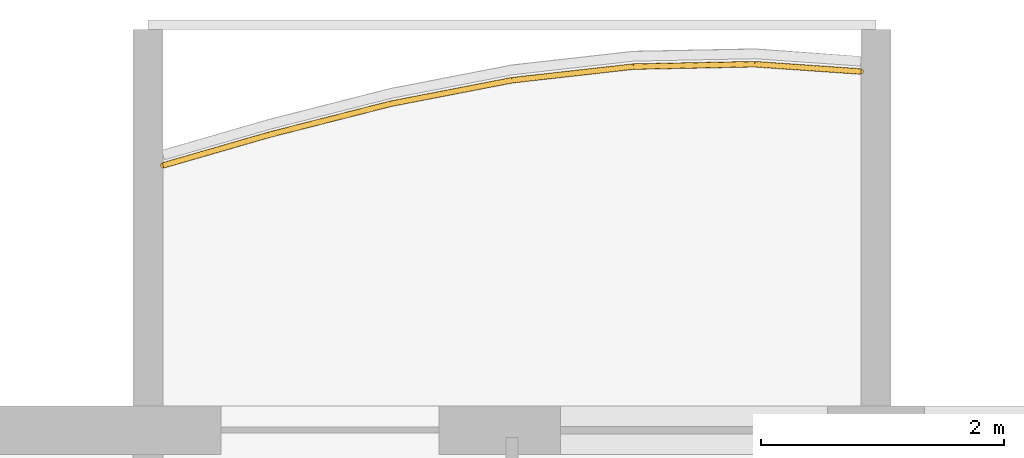
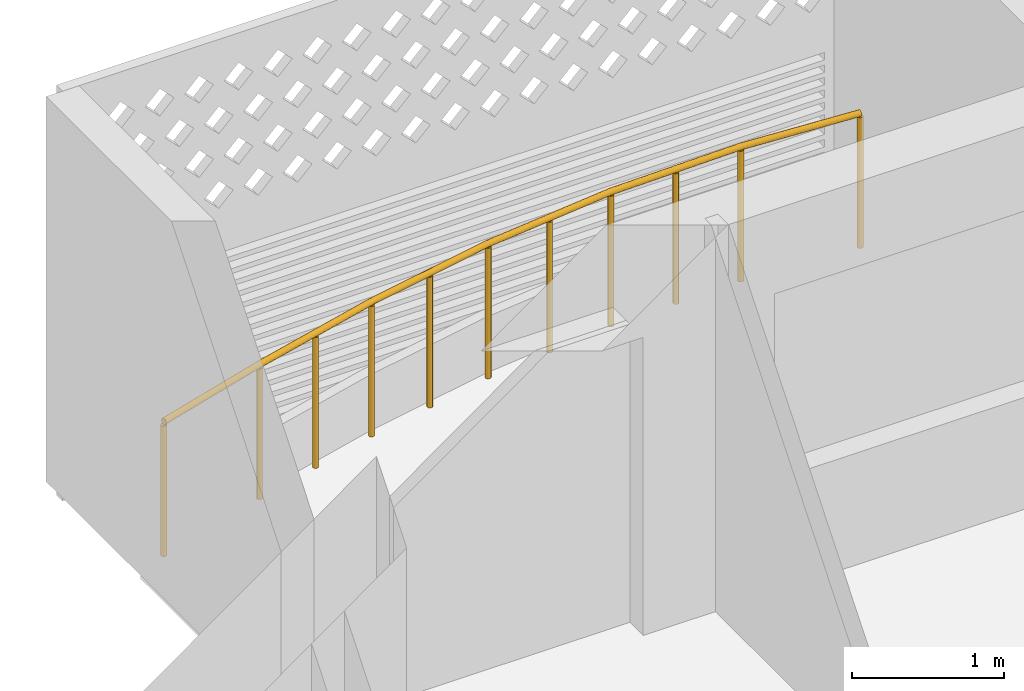
# One storey, part 16 of 29: 1 railing.
"""IFC4 building model written with IfcOpenShell, lengths in metres."""

import ifcopenshell
import ifcopenshell.guid

model = None  # the IFC model being written
_history = None  # IfcOwnerHistory: only IFC2X3 demands one
_inside = {}  # id of a spatial element -> (the spatial element, [elements in it])
_under = {}  # id of a project, library or spatial element -> (it, [spatial elements below it])
_declared = {}  # id of a project -> (the project, [libraries it declares])
_typed = {}  # id of a type object -> (the type object, [elements of that type])
_made_of = {}  # id of a material, layer set ... -> (it, [elements and type objects made of it])


def new_model(schema):
    """Start an empty IFC model of exactly this schema.

    Asked for "IFC4X3", IfcOpenShell would pick the latest addendum, in which some entities
    have other attributes; the version numbers below select the first issue.
    IFC2X3 requires an IfcOwnerHistory on every rooted entity: one is made here for all.
    """
    global model, _history
    if schema == "IFC4X3":
        model = ifcopenshell.file(schema_version=(4, 3, 0, 0))
    else:
        model = ifcopenshell.file(schema=schema)
    _inside.clear()
    _under.clear()
    _declared.clear()
    _typed.clear()
    _made_of.clear()
    _history = None
    if model.schema == "IFC2X3":
        org = make("IfcOrganization", Name="unknown")
        user = make(
            "IfcPersonAndOrganization",
            ThePerson=make("IfcPerson", FamilyName="unknown"),
            TheOrganization=org,
        )
        app = make(
            "IfcApplication",
            ApplicationDeveloper=org,
            Version="unknown",
            ApplicationFullName="unknown",
            ApplicationIdentifier="unknown",
        )
        _history = make(
            "IfcOwnerHistory",
            OwningUser=user,
            OwningApplication=app,
            ChangeAction="ADDED",
            CreationDate=0,
        )
    return model


def make(cls, **values):
    """One entity of the class cls with the attributes given. An attribute that is None is left unset."""
    return model.create_entity(
        cls, **{name: value for name, value in values.items() if value is not None}
    )


def rooted(cls, **values):
    """An entity with a GlobalId (a new one), such as an element, a storey or a relation."""
    return make(cls, GlobalId=ifcopenshell.guid.new(), OwnerHistory=_history, **values)


def si_unit(unit_type, name, prefix=None):
    """IfcSIUnit, for example si_unit("LENGTHUNIT", "METRE", prefix="MILLI")."""
    return make("IfcSIUnit", UnitType=unit_type, Prefix=prefix, Name=name)


def assignment(units):
    """IfcUnitAssignment: the units of a project."""
    return None if units is None else make("IfcUnitAssignment", Units=units)


def point(xyz):
    """IfcCartesianPoint."""
    return None if xyz is None else make("IfcCartesianPoint", Coordinates=xyz)


def direction(xyz):
    """IfcDirection."""
    return None if xyz is None else make("IfcDirection", DirectionRatios=xyz)


def frame(location, z_axis=None, x_axis=None):
    """IfcAxis2Placement3D, a coordinate frame: its origin and axes. An axis left out is left unset."""
    return make(
        "IfcAxis2Placement3D",
        Location=point(location),
        Axis=direction(z_axis),
        RefDirection=direction(x_axis),
    )


def frame_2d(location, x_axis=None):
    """IfcAxis2Placement2D, a coordinate frame in the plane: its origin and x axis."""
    return make(
        "IfcAxis2Placement2D", Location=point(location), RefDirection=direction(x_axis)
    )


def origin():
    """The frame at (0, 0, 0) with its axes left unset."""
    return frame((0.0, 0.0, 0.0))


def origin_2d():
    """The frame at (0, 0) in the plane with its x axis left unset."""
    return frame_2d((0.0, 0.0))


def place(relative_to, where):
    """IfcLocalPlacement: puts the frame where relative to a parent placement (None: the world)."""
    return make(
        "IfcLocalPlacement", PlacementRelTo=relative_to, RelativePlacement=where
    )


def context(
    kind, dimensions, precision=None, world=None, true_north=None, identifier=None
):
    """IfcGeometricRepresentationContext, for example the 3D "Model" context."""
    return make(
        "IfcGeometricRepresentationContext",
        ContextIdentifier=identifier,
        ContextType=kind,
        CoordinateSpaceDimension=dimensions,
        Precision=precision,
        WorldCoordinateSystem=world,
        TrueNorth=true_north,
    )


def subcontext(parent, identifier, kind, view, scale=None):
    """IfcGeometricRepresentationSubContext, for example "Body" below "Model"."""
    return make(
        "IfcGeometricRepresentationSubContext",
        ContextIdentifier=identifier,
        ContextType=kind,
        ParentContext=parent,
        TargetScale=scale,
        TargetView=view,
    )


def project(units=None, contexts=None):
    """IfcProject with its units and contexts."""
    return rooted(
        "IfcProject",
        Name="project",
        RepresentationContexts=contexts,
        UnitsInContext=assignment(units),
    )


def spatial(cls, under=None, at=None, **own):
    """A site, building, storey or space (cls), placed at a placement, below another one or the project."""
    s = rooted(cls, ObjectPlacement=at, **own)
    if under is not None:
        _under.setdefault(under.id(), (under, []))[1].append(s)
    return s


def profile(cls, at=None, kind="AREA", **sizes):
    """A parametric profile (cls). Its sizes go by their IFC names, for example OverallWidth=200.0."""
    return make(cls, ProfileType=kind, Position=at, **sizes)


def circle(**sizes):
    """IfcCircleProfileDef."""
    return profile("IfcCircleProfileDef", **sizes)


def extrude(swept, where, along, depth):
    """IfcExtrudedAreaSolid: the profile swept, set in the frame where, extruded along a direction by depth."""
    return make(
        "IfcExtrudedAreaSolid",
        SweptArea=swept,
        Position=where,
        ExtrudedDirection=direction(along),
        Depth=depth,
    )


def shape(context_of_items, identifier, shape_type, items):
    """IfcShapeRepresentation: the items that make up one representation, for example the "Body"."""
    return make(
        "IfcShapeRepresentation",
        ContextOfItems=context_of_items,
        RepresentationIdentifier=identifier,
        RepresentationType=shape_type,
        Items=items,
    )


def material(Name=None, Category=None):
    """IfcMaterial."""
    return make("IfcMaterial", Name=Name, Category=Category)


def made_of(thing, what):
    """Note that an element or type object is made of a material, layer set ...; save() writes the relation."""
    if what is not None:
        _made_of.setdefault(what.id(), (what, []))[1].append(thing)
    return thing


def type_object(cls, material=None, **own):
    """A type object (cls), such as IfcWallType, which elements share."""
    return made_of(rooted(cls, **own), material)


def element(
    cls,
    number,
    at=None,
    inside=None,
    cuts=None,
    type_object=None,
    material=None,
    context=None,
    identifier="Body",
    shape_type=None,
    held_by="IfcProductDefinitionShape",
    body=None,
    shapes=None,
    **own,
):
    """One element of the class cls, such as IfcWall. Its Tag is "e" and its number.

    at: its placement. inside: the storey or other place that contains it. cuts: it is an
    opening in that element (IfcRelVoidsElement). A single representation is given by context,
    identifier, shape_type and body (its items); several are given by shapes. held_by: the class
    of the entity that holds the representations. save() writes the other relations.
    """
    e = rooted(cls, Tag="e%d" % number, ObjectPlacement=at, **own)
    if body is not None:
        shapes = [shape(context, identifier, shape_type, body)]
    if shapes is not None:
        e.Representation = make(held_by, Representations=shapes)
    if inside is not None:
        _inside.setdefault(inside.id(), (inside, []))[1].append(e)
    if cuts is not None:
        rooted(
            "IfcRelVoidsElement", RelatingBuildingElement=cuts, RelatedOpeningElement=e
        )
    if type_object is not None:
        _typed.setdefault(type_object.id(), (type_object, []))[1].append(e)
    return made_of(e, material)


def aggregate(whole, parts):
    """IfcRelAggregates: a whole, such as a stair, and the parts it consists of."""
    return rooted("IfcRelAggregates", RelatingObject=whole, RelatedObjects=parts)


def save(model, path):
    """Write the relations noted so far, then the file.

    IfcRelAggregates (storeys below a building ...), IfcRelContainedInSpatialStructure (elements
    in a storey), IfcRelDefinesByType, IfcRelAssociatesMaterial and IfcRelDeclares: one each for
    every whole, place, type object, material and project.
    """
    for whole, parts in _under.values():
        aggregate(whole, parts)
    for where, things in _inside.values():
        rooted(
            "IfcRelContainedInSpatialStructure",
            RelatedElements=things,
            RelatingStructure=where,
        )
    for kind, things in _typed.values():
        rooted("IfcRelDefinesByType", RelatedObjects=things, RelatingType=kind)
    for what, things in _made_of.values():
        rooted("IfcRelAssociatesMaterial", RelatedObjects=things, RelatingMaterial=what)
    for by, libraries in _declared.values():
        rooted("IfcRelDeclares", RelatingContext=by, RelatedDefinitions=libraries)
    model.write(path)


model = new_model("IFC4")

# Units and contexts
model_context = context("Model", 3, precision=1e-05, world=origin(), true_north=direction((0.0, 1.0)))
body_context = subcontext(model_context, "Body", "Model", "MODEL_VIEW")
ifc_project = project(units=[si_unit("LENGTHUNIT", "METRE"), si_unit("AREAUNIT", "SQUARE_METRE"), si_unit("VOLUMEUNIT", "CUBIC_METRE"), si_unit("PLANEANGLEUNIT", "RADIAN"), si_unit("MASSUNIT", "GRAM", prefix="KILO")], contexts=[model_context])

# Site, building, storey
site_placement = place(None, origin())
site = spatial("IfcSite", under=ifc_project, at=site_placement, CompositionType="ELEMENT")
building_placement = place(site_placement, origin())
building = spatial("IfcBuilding", under=site, at=building_placement, Name="Poui Terraces", CompositionType="ELEMENT")
storey_placement = place(building_placement, frame((0.0, 0.0, 234.60009765625)))
storey = spatial("IfcBuildingStorey", under=building, at=storey_placement, Name="L65", CompositionType="ELEMENT", Elevation=234.60009765625)

# Railing
ifc_material = material(Name="Painted steel fretwork", Category="steel")
railing_type = type_object("IfcRailingType", Name="BALCONY GUARD 1100", PredefinedType="GUARDRAIL", material=ifc_material)
railing_placement = place(storey_placement, frame((24.125, 43.3818359375, 0.0)))
element("IfcRailing", 1, at=railing_placement, inside=storey, type_object=railing_type, Name="BALCONY GUARD", PredefinedType="GUARDRAIL", context=body_context, shape_type="SweptSolid", body=[
    extrude(circle(Radius=0.02392578125, at=origin_2d()), frame((0.0, 0.0, 1.076171875), z_axis=(0.960741180178, 0.27744618345, 0.0), x_axis=(-0.27744618345, 0.960741180178, 0.0)), (0.0, 0.0, 1.0), 0.91064453125),
    extrude(circle(Radius=0.02392578125, at=origin_2d()), frame((0.875, 0.252685546875, 1.076171875), z_axis=(0.968962333186, 0.247208407759, 0.0), x_axis=(-0.247208407759, 0.968962333186, 0.0)), (0.0, 0.0, 1.0), 1.031982421875),
    extrude(circle(Radius=0.02392578125, at=origin_2d()), frame((1.875, 0.5078125, 1.076171875), z_axis=(0.981724998512, 0.190305090044, 0.0), x_axis=(-0.190305090044, 0.981724998512, 0.0)), (0.0, 0.0, 1.0), 1.0185546875),
    extrude(circle(Radius=0.02392578125, at=origin_2d()), frame((2.875, 0.70166015625, 1.076171875), z_axis=(0.993725924527, 0.111842688283, 0.0), x_axis=(-0.111842688283, 0.993725924527, 0.0)), (0.0, 0.0, 1.0), 1.00634765625),
    extrude(circle(Radius=0.02392578125, at=origin_2d()), frame((3.875, 0.814208984375, 1.076171875), z_axis=(0.999804524294, 0.019771525017, 0.0), x_axis=(-0.019771525017, 0.999804524294, 0.0)), (0.0, 0.0, 1.0), 1.000244140625),
    extrude(circle(Radius=0.02392578125, at=origin_2d()), frame((4.875, 0.833984375, 1.076171875), z_axis=(0.997633621452, -0.068754326032, 0.0), x_axis=(0.068754326032, 0.997633621452, 0.0)), (0.0, 0.0, 1.0), 0.877197265625),
    extrude(circle(Radius=0.02099609375, at=origin_2d()), origin(), (0.0, 0.0, 1.0), 1.052001953125),
    extrude(circle(Radius=0.02099609375, at=origin_2d()), frame((0.875, 0.252685546875, 0.0)), (0.0, 0.0, 1.0), 1.052001953125),
    extrude(circle(Radius=0.02099609375, at=origin_2d()), frame((1.375, 0.38037109375, 0.0)), (0.0, 0.0, 1.0), 1.052001953125),
    extrude(circle(Radius=0.02099609375, at=origin_2d()), frame((1.875, 0.5078125, 0.0)), (0.0, 0.0, 1.0), 1.052001953125),
    extrude(circle(Radius=0.02099609375, at=origin_2d()), frame((2.375, 0.604736328125, 0.0)), (0.0, 0.0, 1.0), 1.052001953125),
    extrude(circle(Radius=0.02099609375, at=origin_2d()), frame((2.875, 0.70166015625, 0.0)), (0.0, 0.0, 1.0), 1.052001953125),
    extrude(circle(Radius=0.02099609375, at=origin_2d()), frame((3.375, 0.7578125, 0.0)), (0.0, 0.0, 1.0), 1.052001953125),
    extrude(circle(Radius=0.02099609375, at=origin_2d()), frame((3.875, 0.814208984375, 0.0)), (0.0, 0.0, 1.0), 1.052001953125),
    extrude(circle(Radius=0.02099609375, at=origin_2d()), frame((4.375, 0.82421875, 0.0)), (0.0, 0.0, 1.0), 1.052001953125),
    extrude(circle(Radius=0.02099609375, at=origin_2d()), frame((4.875, 0.833984375, 0.0)), (0.0, 0.0, 1.0), 1.052001953125),
    extrude(circle(Radius=0.02099609375, at=origin_2d()), frame((5.75, 0.773681640625, 0.0)), (0.0, 0.0, 1.0), 1.052001953125),
])

save(model, "model.ifc")
